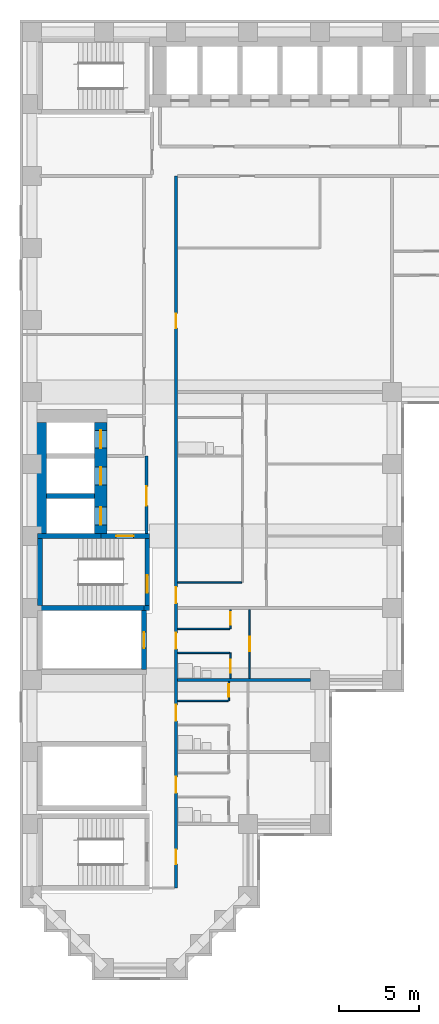
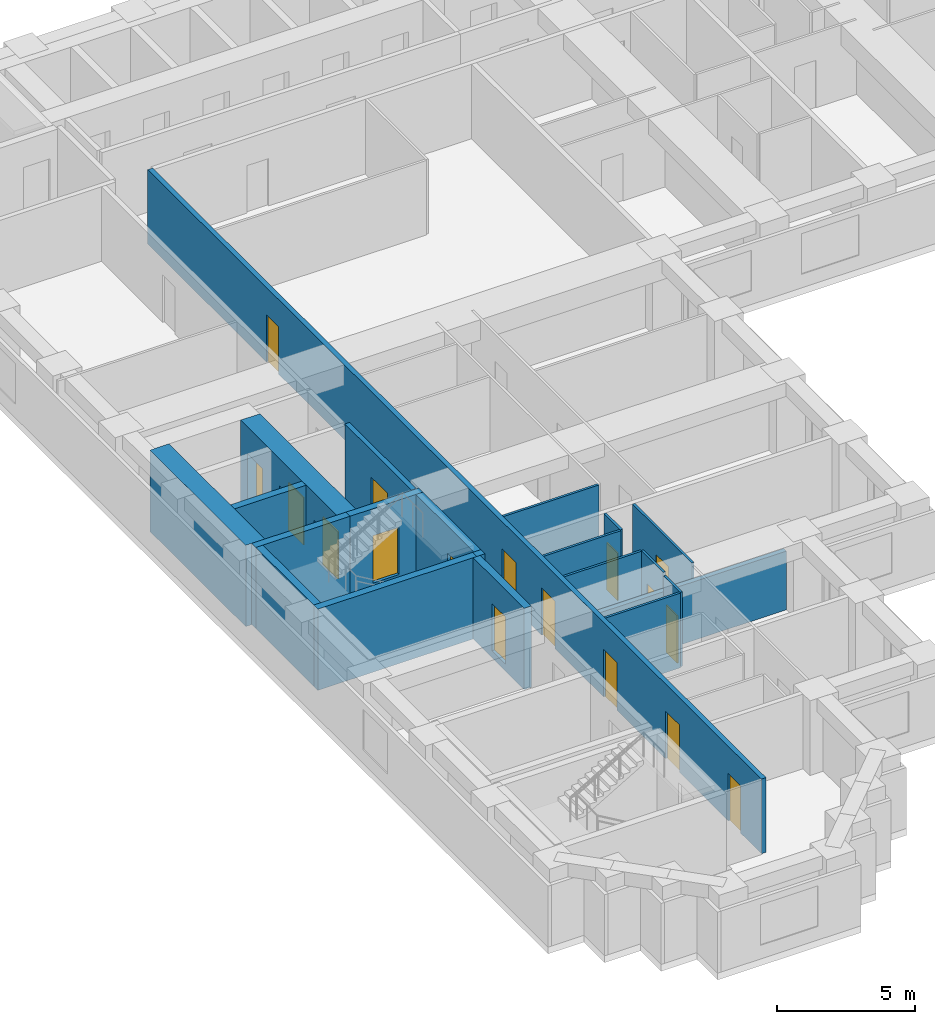
# One storey, part 3 of 11: 21 walls, 17 doors, 17 openings.
"""IFC4 building model written with IfcOpenShell, lengths in metres."""

import ifcopenshell
import ifcopenshell.guid

model = None  # the IFC model being written
_history = None  # IfcOwnerHistory: only IFC2X3 demands one
_inside = {}  # id of a spatial element -> (the spatial element, [elements in it])
_under = {}  # id of a project, library or spatial element -> (it, [spatial elements below it])
_declared = {}  # id of a project -> (the project, [libraries it declares])
_typed = {}  # id of a type object -> (the type object, [elements of that type])
_made_of = {}  # id of a material, layer set ... -> (it, [elements and type objects made of it])


def new_model(schema):
    """Start an empty IFC model of exactly this schema.

    Asked for "IFC4X3", IfcOpenShell would pick the latest addendum, in which some entities
    have other attributes; the version numbers below select the first issue.
    IFC2X3 requires an IfcOwnerHistory on every rooted entity: one is made here for all.
    """
    global model, _history
    if schema == "IFC4X3":
        model = ifcopenshell.file(schema_version=(4, 3, 0, 0))
    else:
        model = ifcopenshell.file(schema=schema)
    _inside.clear()
    _under.clear()
    _declared.clear()
    _typed.clear()
    _made_of.clear()
    _history = None
    if model.schema == "IFC2X3":
        org = make("IfcOrganization", Name="unknown")
        user = make(
            "IfcPersonAndOrganization",
            ThePerson=make("IfcPerson", FamilyName="unknown"),
            TheOrganization=org,
        )
        app = make(
            "IfcApplication",
            ApplicationDeveloper=org,
            Version="unknown",
            ApplicationFullName="unknown",
            ApplicationIdentifier="unknown",
        )
        _history = make(
            "IfcOwnerHistory",
            OwningUser=user,
            OwningApplication=app,
            ChangeAction="ADDED",
            CreationDate=0,
        )
    return model


def make(cls, **values):
    """One entity of the class cls with the attributes given. An attribute that is None is left unset."""
    return model.create_entity(
        cls, **{name: value for name, value in values.items() if value is not None}
    )


def rooted(cls, **values):
    """An entity with a GlobalId (a new one), such as an element, a storey or a relation."""
    return make(cls, GlobalId=ifcopenshell.guid.new(), OwnerHistory=_history, **values)


def si_unit(unit_type, name, prefix=None):
    """IfcSIUnit, for example si_unit("LENGTHUNIT", "METRE", prefix="MILLI")."""
    return make("IfcSIUnit", UnitType=unit_type, Prefix=prefix, Name=name)


def assignment(units):
    """IfcUnitAssignment: the units of a project."""
    return None if units is None else make("IfcUnitAssignment", Units=units)


def point(xyz):
    """IfcCartesianPoint."""
    return None if xyz is None else make("IfcCartesianPoint", Coordinates=xyz)


def direction(xyz):
    """IfcDirection."""
    return None if xyz is None else make("IfcDirection", DirectionRatios=xyz)


def frame(location, z_axis=None, x_axis=None):
    """IfcAxis2Placement3D, a coordinate frame: its origin and axes. An axis left out is left unset."""
    return make(
        "IfcAxis2Placement3D",
        Location=point(location),
        Axis=direction(z_axis),
        RefDirection=direction(x_axis),
    )


def frame_2d(location, x_axis=None):
    """IfcAxis2Placement2D, a coordinate frame in the plane: its origin and x axis."""
    return make(
        "IfcAxis2Placement2D", Location=point(location), RefDirection=direction(x_axis)
    )


def origin():
    """The frame at (0, 0, 0) with its axes left unset."""
    return frame((0.0, 0.0, 0.0))


def place(relative_to, where):
    """IfcLocalPlacement: puts the frame where relative to a parent placement (None: the world)."""
    return make(
        "IfcLocalPlacement", PlacementRelTo=relative_to, RelativePlacement=where
    )


def context(
    kind, dimensions, precision=None, world=None, true_north=None, identifier=None
):
    """IfcGeometricRepresentationContext, for example the 3D "Model" context."""
    return make(
        "IfcGeometricRepresentationContext",
        ContextIdentifier=identifier,
        ContextType=kind,
        CoordinateSpaceDimension=dimensions,
        Precision=precision,
        WorldCoordinateSystem=world,
        TrueNorth=true_north,
    )


def subcontext(parent, identifier, kind, view, scale=None):
    """IfcGeometricRepresentationSubContext, for example "Body" below "Model"."""
    return make(
        "IfcGeometricRepresentationSubContext",
        ContextIdentifier=identifier,
        ContextType=kind,
        ParentContext=parent,
        TargetScale=scale,
        TargetView=view,
    )


def project(units=None, contexts=None):
    """IfcProject with its units and contexts."""
    return rooted(
        "IfcProject",
        Name="project",
        RepresentationContexts=contexts,
        UnitsInContext=assignment(units),
    )


def spatial(cls, under=None, at=None, **own):
    """A site, building, storey or space (cls), placed at a placement, below another one or the project."""
    s = rooted(cls, ObjectPlacement=at, **own)
    if under is not None:
        _under.setdefault(under.id(), (under, []))[1].append(s)
    return s


def profile(cls, at=None, kind="AREA", **sizes):
    """A parametric profile (cls). Its sizes go by their IFC names, for example OverallWidth=200.0."""
    return make(cls, ProfileType=kind, Position=at, **sizes)


def rectangle(**sizes):
    """IfcRectangleProfileDef."""
    return profile("IfcRectangleProfileDef", **sizes)


def extrude(swept, where, along, depth):
    """IfcExtrudedAreaSolid: the profile swept, set in the frame where, extruded along a direction by depth."""
    return make(
        "IfcExtrudedAreaSolid",
        SweptArea=swept,
        Position=where,
        ExtrudedDirection=direction(along),
        Depth=depth,
    )


def shape(context_of_items, identifier, shape_type, items):
    """IfcShapeRepresentation: the items that make up one representation, for example the "Body"."""
    return make(
        "IfcShapeRepresentation",
        ContextOfItems=context_of_items,
        RepresentationIdentifier=identifier,
        RepresentationType=shape_type,
        Items=items,
    )


def material(Name=None, Category=None):
    """IfcMaterial."""
    return make("IfcMaterial", Name=Name, Category=Category)


def layer(
    of_material, thickness, ventilated=None, Name=None, Category=None, Priority=None
):
    """IfcMaterialLayer: one layer of a wall or slab, of a material (None: an air gap)."""
    return make(
        "IfcMaterialLayer",
        Material=of_material,
        LayerThickness=thickness,
        IsVentilated=ventilated,
        Name=Name,
        Category=Category,
        Priority=Priority,
    )


def layer_set(layers, Name=None):
    """IfcMaterialLayerSet."""
    return make("IfcMaterialLayerSet", MaterialLayers=layers, LayerSetName=Name)


def made_of(thing, what):
    """Note that an element or type object is made of a material, layer set ...; save() writes the relation."""
    if what is not None:
        _made_of.setdefault(what.id(), (what, []))[1].append(thing)
    return thing


def type_object(cls, material=None, **own):
    """A type object (cls), such as IfcWallType, which elements share."""
    return made_of(rooted(cls, **own), material)


def element(
    cls,
    number,
    at=None,
    inside=None,
    cuts=None,
    type_object=None,
    material=None,
    context=None,
    identifier="Body",
    shape_type=None,
    held_by="IfcProductDefinitionShape",
    body=None,
    shapes=None,
    **own,
):
    """One element of the class cls, such as IfcWall. Its Tag is "e" and its number.

    at: its placement. inside: the storey or other place that contains it. cuts: it is an
    opening in that element (IfcRelVoidsElement). A single representation is given by context,
    identifier, shape_type and body (its items); several are given by shapes. held_by: the class
    of the entity that holds the representations. save() writes the other relations.
    """
    e = rooted(cls, Tag="e%d" % number, ObjectPlacement=at, **own)
    if body is not None:
        shapes = [shape(context, identifier, shape_type, body)]
    if shapes is not None:
        e.Representation = make(held_by, Representations=shapes)
    if inside is not None:
        _inside.setdefault(inside.id(), (inside, []))[1].append(e)
    if cuts is not None:
        rooted(
            "IfcRelVoidsElement", RelatingBuildingElement=cuts, RelatedOpeningElement=e
        )
    if type_object is not None:
        _typed.setdefault(type_object.id(), (type_object, []))[1].append(e)
    return made_of(e, material)


def fill(opening, filler):
    """IfcRelFillsElement: the door or window that sits in an opening."""
    return rooted(
        "IfcRelFillsElement",
        RelatingOpeningElement=opening,
        RelatedBuildingElement=filler,
    )


def aggregate(whole, parts):
    """IfcRelAggregates: a whole, such as a stair, and the parts it consists of."""
    return rooted("IfcRelAggregates", RelatingObject=whole, RelatedObjects=parts)


def save(model, path):
    """Write the relations noted so far, then the file.

    IfcRelAggregates (storeys below a building ...), IfcRelContainedInSpatialStructure (elements
    in a storey), IfcRelDefinesByType, IfcRelAssociatesMaterial and IfcRelDeclares: one each for
    every whole, place, type object, material and project.
    """
    for whole, parts in _under.values():
        aggregate(whole, parts)
    for where, things in _inside.values():
        rooted(
            "IfcRelContainedInSpatialStructure",
            RelatedElements=things,
            RelatingStructure=where,
        )
    for kind, things in _typed.values():
        rooted("IfcRelDefinesByType", RelatedObjects=things, RelatingType=kind)
    for what, things in _made_of.values():
        rooted("IfcRelAssociatesMaterial", RelatedObjects=things, RelatingMaterial=what)
    for by, libraries in _declared.values():
        rooted("IfcRelDeclares", RelatingContext=by, RelatedDefinitions=libraries)
    model.write(path)


model = new_model("IFC4")

# Units and contexts
model_context = context("Model", 3, precision=1e-05, world=origin(), true_north=direction((0.0, 1.0)))
body_context = subcontext(model_context, "Body", "Model", "MODEL_VIEW")
ifc_project = project(units=[si_unit("LENGTHUNIT", "METRE"), si_unit("AREAUNIT", "SQUARE_METRE"), si_unit("VOLUMEUNIT", "CUBIC_METRE"), si_unit("PLANEANGLEUNIT", "RADIAN"), si_unit("MASSUNIT", "GRAM", prefix="KILO")], contexts=[model_context])

# Site, building, storey
site_placement = place(None, origin())
site = spatial("IfcSite", under=ifc_project, at=site_placement, CompositionType="ELEMENT")
building_placement = place(site_placement, origin())
building = spatial("IfcBuilding", under=site, at=building_placement, Name="Firuza Court", CompositionType="ELEMENT")
storey_placement = place(building_placement, frame((0.0, 0.0, 75.800048828125)))
storey = spatial("IfcBuildingStorey", under=building, at=storey_placement, Name="L18", CompositionType="ELEMENT", Elevation=75.800048828125)

# Walls
ifc_material_1 = material(Name="Moisture-resistant gypsum board partition")
ifc_layer_1 = layer(ifc_material_1, 0.10009765625)
ifc_layer_set_1 = layer_set([ifc_layer_1], Name="Moisture-resistant gypsum board partition")
wall_type_1 = type_object("IfcWallType", Name="Bathroom partition 100", PredefinedType="PLUMBINGWALL", material=ifc_layer_set_1)
wall_1_placement = place(storey_placement, frame((9.10009765625, 19.699951171875, 0.0), z_axis=(0.0, 0.0, 1.0), x_axis=(1.0, 0.0, 0.0)))
element("IfcWall", 1, at=wall_1_placement, inside=storey, type_object=wall_type_1, Name="Bathroom partition 100 L18", PredefinedType="PLUMBINGWALL", context=body_context, shape_type="SweptSolid", body=[
    extrude(rectangle(XDim=3.25, YDim=0.10009765625, at=frame_2d((1.625, 0.0))), origin(), (0.0, 0.0, 1.0), 3.300048828125),
])
ifc_material_2 = material(Name="Concrete C60/75", Category="concrete")
ifc_layer_2 = layer(ifc_material_2, 0.300048828125)
ifc_layer_set_2 = layer_set([ifc_layer_2], Name="Concrete C60/75")
wall_type_2 = type_object("IfcWallType", Name="Core wall 300 C60/75", PredefinedType="SHEAR", material=ifc_layer_set_2)
wall_2_placement = place(storey_placement, frame((0.35009765625, 22.5, -0.300048828125), z_axis=(0.0, 0.0, 1.0), x_axis=(1.0, 0.0, 0.0)))
element("IfcWall", 2, at=wall_2_placement, inside=storey, type_object=wall_type_2, Name="Core wall riser L18", PredefinedType="SHEAR", context=body_context, shape_type="SweptSolid", body=[
    extrude(rectangle(XDim=6.64990234375, YDim=0.300048828125, at=frame_2d((3.324951171875, 0.0))), origin(), (0.0, 0.0, 1.0), 3.60009765625),
])
wall_3_placement = place(storey_placement, frame((0.35009765625, 27.0, -0.300048828125), z_axis=(0.0, 0.0, 1.0), x_axis=(1.0, 0.0, 0.0)))
element("IfcWall", 3, at=wall_3_placement, inside=storey, type_object=wall_type_2, Name="Core wall lift shaft L18", PredefinedType="SHEAR", context=body_context, shape_type="SweptSolid", body=[
    extrude(rectangle(XDim=3.949951171875, YDim=0.300048828125, at=frame_2d((1.97509765625, 0.0))), origin(), (0.0, 0.0, 1.0), 3.60009765625),
])
wall_4_placement = place(storey_placement, frame((0.5, 22.64990234375, -0.300048828125), z_axis=(0.0, 0.0, 1.0), x_axis=(0.0, 1.0, 0.0)))
element("IfcWall", 4, at=wall_4_placement, inside=storey, type_object=wall_type_2, Name="Core wall stair L18", PredefinedType="SHEAR", context=body_context, shape_type="SweptSolid", body=[
    extrude(rectangle(XDim=4.2001953125, YDim=0.300048828125, at=frame_2d((2.10009765625, 0.0))), origin(), (0.0, 0.0, 1.0), 3.60009765625),
])
wall_5_placement = place(storey_placement, frame((0.89990234375, 29.5, -0.300048828125), z_axis=(0.0, 0.0, 1.0), x_axis=(1.0, 0.0, 0.0)))
element("IfcWall", 5, at=wall_5_placement, inside=storey, type_object=wall_type_2, Name="Core wall lift shaft L18", PredefinedType="SHEAR", context=body_context, shape_type="SweptSolid", body=[
    extrude(rectangle(XDim=3.0, YDim=0.300048828125, at=frame_2d((1.5, 0.0))), origin(), (0.0, 0.0, 1.0), 3.60009765625),
])

# Wall, opening, door
wall_6_placement = place(storey_placement, frame((4.300048828125, 27.0, -0.300048828125), z_axis=(0.0, 0.0, 1.0), x_axis=(1.0, 0.0, 0.0)))
wall_6 = element("IfcWall", 6, at=wall_6_placement, inside=storey, type_object=wall_type_2, Name="Core wall stair L18", PredefinedType="SHEAR", context=body_context, shape_type="SweptSolid", body=[
    extrude(rectangle(XDim=3.050048828125, YDim=0.300048828125, at=frame_2d((1.52490234375, 0.0))), origin(), (0.0, 0.0, 1.0), 3.60009765625),
])
opening_1_placement = place(wall_6_placement, frame((0.949951171875, 0.0, 0.300048828125)))
opening_1 = element("IfcOpeningElement", 7, at=opening_1_placement, cuts=wall_6, Name="Opening D18014", PredefinedType="OPENING", context=body_context, shape_type="SweptSolid", body=[
    extrude(rectangle(XDim=1.10009765625, YDim=2.10009765625, at=frame_2d((0.550048828125, 1.050048828125))), frame((0.0, 0.162109375, 0.0), z_axis=(0.0, -1.0, 0.0), x_axis=(1.0, 0.0, 0.0)), (0.0, 0.0, 1.0), 0.323974609375),
])
ifc_material_3 = material(Name="Timber door leaf in hardwood frame", Category="wood")
door_type_1 = type_object("IfcDoorType", Name="Stair door 1100", OperationType="SINGLE_SWING_LEFT", PredefinedType="DOOR", material=ifc_material_3)
door_1_placement = place(opening_1_placement, frame((1.10009765625, 0.0, 0.0), z_axis=(0.0, 0.0, 1.0), x_axis=(-1.0, 0.0, 0.0)))
door_1 = element("IfcDoor", 8, at=door_1_placement, inside=storey, type_object=door_type_1, Name="Fire-fighting lobby door", OperationType="SINGLE_SWING_LEFT", OverallHeight=2.10009765625, OverallWidth=1.10009765625, PredefinedType="DOOR", context=body_context, shape_type="SweptSolid", body=[
    extrude(rectangle(XDim=1.10009765625, YDim=2.10009765625, at=frame_2d((0.550048828125, 1.050048828125))), frame((0.0, 0.02490234375, 0.0), z_axis=(0.0, -1.0, 0.0), x_axis=(1.0, 0.0, 0.0)), (0.0, 0.0, 1.0), 0.050048828125),
])
fill(opening_1, door_1)

wall_7_placement = place(storey_placement, frame((7.0, 18.64990234375, -0.300048828125), z_axis=(0.0, 0.0, 1.0), x_axis=(0.0, 1.0, 0.0)))
wall_7 = element("IfcWall", 9, at=wall_7_placement, inside=storey, type_object=wall_type_2, Name="Core wall riser L18", PredefinedType="SHEAR", context=body_context, shape_type="SweptSolid", body=[
    extrude(rectangle(XDim=3.7001953125, YDim=0.300048828125, at=frame_2d((1.85009765625, 0.0))), origin(), (0.0, 0.0, 1.0), 3.60009765625),
])
opening_2_placement = place(wall_7_placement, frame((1.35009765625, 0.0, 0.300048828125)))
opening_2 = element("IfcOpeningElement", 10, at=opening_2_placement, cuts=wall_7, Name="Opening D18010", PredefinedType="OPENING", context=body_context, shape_type="SweptSolid", body=[
    extrude(rectangle(XDim=1.0, YDim=2.10009765625, at=frame_2d((0.5, 1.050048828125))), frame((0.0, 0.162109375, 0.0), z_axis=(0.0, -1.0, 0.0), x_axis=(1.0, 0.0, 0.0)), (0.0, 0.0, 1.0), 0.323974609375),
])
ifc_material_4 = material(Name="Timber door leaf in hardwood frame", Category="wood")
door_type_2 = type_object("IfcDoorType", Name="Riser door 1000", OperationType="SINGLE_SWING_LEFT", PredefinedType="DOOR", material=ifc_material_4)
door_2_placement = place(opening_2_placement, origin())
door_2 = element("IfcDoor", 11, at=door_2_placement, inside=storey, type_object=door_type_2, Name="Riser door R1", OperationType="SINGLE_SWING_LEFT", OverallHeight=2.10009765625, OverallWidth=1.0, PredefinedType="DOOR", context=body_context, shape_type="SweptSolid", body=[
    extrude(rectangle(XDim=1.0, YDim=2.10009765625, at=frame_2d((0.5, 1.050048828125))), frame((0.0, 0.02490234375, 0.0), z_axis=(0.0, -1.0, 0.0), x_axis=(1.0, 0.0, 0.0)), (0.0, 0.0, 1.0), 0.050048828125),
])
fill(opening_2, door_2)

# Wall
wall_8_placement = place(storey_placement, frame((7.0, 22.5, -0.300048828125), z_axis=(0.0, 0.0, 1.0), x_axis=(1.0, 0.0, 0.0)))
element("IfcWall", 12, at=wall_8_placement, inside=storey, type_object=wall_type_2, Name="Core wall stair L18", PredefinedType="SHEAR", context=body_context, shape_type="SweptSolid", body=[
    extrude(rectangle(XDim=0.35009765625, YDim=0.300048828125, at=frame_2d((0.175048828125, 0.0))), origin(), (0.0, 0.0, 1.0), 3.60009765625),
])

# Wall, opening, door
wall_9_placement = place(storey_placement, frame((7.199951171875, 22.64990234375, -0.300048828125), z_axis=(0.0, 0.0, 1.0), x_axis=(0.0, 1.0, 0.0)))
wall_9 = element("IfcWall", 13, at=wall_9_placement, inside=storey, type_object=wall_type_2, Name="Core wall stair L18", PredefinedType="SHEAR", context=body_context, shape_type="SweptSolid", body=[
    extrude(rectangle(XDim=4.2001953125, YDim=0.300048828125, at=frame_2d((2.10009765625, 0.0))), origin(), (0.0, 0.0, 1.0), 3.60009765625),
])
opening_3_placement = place(wall_9_placement, frame((0.800048828125, 0.0, 0.300048828125)))
opening_3 = element("IfcOpeningElement", 14, at=opening_3_placement, cuts=wall_9, Name="Opening D18015", PredefinedType="OPENING", context=body_context, shape_type="SweptSolid", body=[
    extrude(rectangle(XDim=1.10009765625, YDim=2.10009765625, at=frame_2d((0.550048828125, 1.050048828125))), frame((0.0, 0.162109375, 0.0), z_axis=(0.0, -1.0, 0.0), x_axis=(1.0, 0.0, 0.0)), (0.0, 0.0, 1.0), 0.323974609375),
])
door_3_placement = place(opening_3_placement, origin())
door_3 = element("IfcDoor", 15, at=door_3_placement, inside=storey, type_object=door_type_1, Name="Stair door S2", OperationType="SINGLE_SWING_LEFT", OverallHeight=2.10009765625, OverallWidth=1.10009765625, PredefinedType="DOOR", context=body_context, shape_type="SweptSolid", body=[
    extrude(rectangle(XDim=1.10009765625, YDim=2.10009765625, at=frame_2d((0.550048828125, 1.050048828125))), frame((0.0, 0.02490234375, 0.0), z_axis=(0.0, -1.0, 0.0), x_axis=(1.0, 0.0, 0.0)), (0.0, 0.0, 1.0), 0.050048828125),
])
fill(opening_3, door_3)

# Wall
ifc_layer_3 = layer(ifc_material_2, 0.800048828125)
ifc_layer_set_3 = layer_set([ifc_layer_3], Name="Concrete C60/75")
wall_type_3 = type_object("IfcWallType", Name="Core wall 800 C60/75", PredefinedType="SHEAR", material=ifc_layer_set_3)
wall_10_placement = place(storey_placement, frame((0.5, 27.14990234375, -0.300048828125), z_axis=(0.0, 0.0, 1.0), x_axis=(0.0, 1.0, 0.0)))
element("IfcWall", 16, at=wall_10_placement, inside=storey, type_object=wall_type_3, Name="Core wall lift shaft L18", PredefinedType="SHEAR", context=body_context, shape_type="SweptSolid", body=[
    extrude(rectangle(XDim=6.9501953125, YDim=0.800048828125, at=frame_2d((3.47509765625, 0.0))), origin(), (0.0, 0.0, 1.0), 3.60009765625),
])

# Wall, openings, doors
wall_11_placement = place(storey_placement, frame((4.300048828125, 27.14990234375, -0.300048828125), z_axis=(0.0, 0.0, 1.0), x_axis=(0.0, 1.0, 0.0)))
wall_11 = element("IfcWall", 17, at=wall_11_placement, inside=storey, type_object=wall_type_3, Name="Core wall lift shaft L18", PredefinedType="SHEAR", context=body_context, shape_type="SweptSolid", body=[
    extrude(rectangle(XDim=6.9501953125, YDim=0.800048828125, at=frame_2d((3.47509765625, 0.0))), origin(), (0.0, 0.0, 1.0), 3.60009765625),
])
opening_4_placement = place(wall_11_placement, frame((3.050048828125, 0.0, 0.300048828125)))
opening_4 = element("IfcOpeningElement", 18, at=opening_4_placement, cuts=wall_11, Name="Opening LD-FL1-18", PredefinedType="OPENING", context=body_context, shape_type="SweptSolid", body=[
    extrude(rectangle(XDim=1.10009765625, YDim=2.10009765625, at=frame_2d((0.550048828125, 1.050048828125))), frame((0.0, 0.412109375, 0.0), z_axis=(0.0, -1.0, 0.0), x_axis=(1.0, 0.0, 0.0)), (0.0, 0.0, 1.0), 0.823974609375),
])
opening_5_placement = place(wall_11_placement, frame((0.550048828125, 0.0, 0.300048828125)))
opening_5 = element("IfcOpeningElement", 19, at=opening_5_placement, cuts=wall_11, Name="Opening LD-FL2-18", PredefinedType="OPENING", context=body_context, shape_type="SweptSolid", body=[
    extrude(rectangle(XDim=1.10009765625, YDim=2.10009765625, at=frame_2d((0.550048828125, 1.050048828125))), frame((0.0, 0.412109375, 0.0), z_axis=(0.0, -1.0, 0.0), x_axis=(1.0, 0.0, 0.0)), (0.0, 0.0, 1.0), 0.823974609375),
])
opening_6_placement = place(wall_11_placement, frame((5.35009765625, 0.0, 0.300048828125)))
opening_6 = element("IfcOpeningElement", 20, at=opening_6_placement, cuts=wall_11, Name="Opening LD-SL1-18", PredefinedType="OPENING", context=body_context, shape_type="SweptSolid", body=[
    extrude(rectangle(XDim=1.10009765625, YDim=2.10009765625, at=frame_2d((0.550048828125, 1.050048828125))), frame((0.0, 0.412109375, 0.0), z_axis=(0.0, -1.0, 0.0), x_axis=(1.0, 0.0, 0.0)), (0.0, 0.0, 1.0), 0.823974609375),
])
ifc_material_5 = material(Name="Stainless steel 1.4301 door leaf", Category="steel")
door_type_3 = type_object("IfcDoorType", Name="Lift landing door 1100", OperationType="SLIDING_TO_LEFT", PredefinedType="DOOR", material=ifc_material_5)
door_4_placement = place(opening_4_placement, origin())
door_4 = element("IfcDoor", 21, at=door_4_placement, inside=storey, type_object=door_type_3, Name="Landing door FL1", OperationType="SLIDING_TO_LEFT", OverallHeight=2.10009765625, OverallWidth=1.10009765625, PredefinedType="DOOR", context=body_context, shape_type="SweptSolid", body=[
    extrude(rectangle(XDim=1.10009765625, YDim=2.10009765625, at=frame_2d((0.550048828125, 1.050048828125))), frame((0.0, 0.02490234375, 0.0), z_axis=(0.0, -1.0, 0.0), x_axis=(1.0, 0.0, 0.0)), (0.0, 0.0, 1.0), 0.050048828125),
])
fill(opening_4, door_4)
door_5_placement = place(opening_5_placement, origin())
door_5 = element("IfcDoor", 22, at=door_5_placement, inside=storey, type_object=door_type_3, Name="Landing door FL2", OperationType="SLIDING_TO_LEFT", OverallHeight=2.10009765625, OverallWidth=1.10009765625, PredefinedType="DOOR", context=body_context, shape_type="SweptSolid", body=[
    extrude(rectangle(XDim=1.10009765625, YDim=2.10009765625, at=frame_2d((0.550048828125, 1.050048828125))), frame((0.0, 0.02490234375, 0.0), z_axis=(0.0, -1.0, 0.0), x_axis=(1.0, 0.0, 0.0)), (0.0, 0.0, 1.0), 0.050048828125),
])
fill(opening_5, door_5)
door_6_placement = place(opening_6_placement, origin())
door_6 = element("IfcDoor", 23, at=door_6_placement, inside=storey, type_object=door_type_3, Name="Landing door SL1", OperationType="SLIDING_TO_LEFT", OverallHeight=2.10009765625, OverallWidth=1.10009765625, PredefinedType="DOOR", context=body_context, shape_type="SweptSolid", body=[
    extrude(rectangle(XDim=1.10009765625, YDim=2.10009765625, at=frame_2d((0.550048828125, 1.050048828125))), frame((0.0, 0.02490234375, 0.0), z_axis=(0.0, -1.0, 0.0), x_axis=(1.0, 0.0, 0.0)), (0.0, 0.0, 1.0), 0.050048828125),
])
fill(opening_6, door_6)

ifc_material_6 = material(Name="Blockwork, plastered both sides", Category="masonry")
ifc_layer_4 = layer(ifc_material_6, 0.199951171875)
ifc_layer_set_4 = layer_set([ifc_layer_4], Name="Blockwork, plastered both sides")
wall_type_4 = type_object("IfcWallType", Name="Corridor wall 200", PredefinedType="PARTITIONING", material=ifc_layer_set_4)
wall_12_placement = place(storey_placement, frame((9.0, 5.0, 0.0), z_axis=(0.0, 0.0, 1.0), x_axis=(0.0, 1.0, 0.0)))
wall_12 = element("IfcWall", 24, at=wall_12_placement, inside=storey, type_object=wall_type_4, Name="Corridor wall 200 L18", PredefinedType="PARTITIONING", context=body_context, shape_type="SweptSolid", body=[
    extrude(rectangle(XDim=44.5, YDim=0.199951171875, at=frame_2d((22.25, 0.0))), origin(), (0.0, 0.0, 1.0), 3.300048828125),
])
opening_7_placement = place(wall_12_placement, frame((17.800048828125, 0.0, 0.0)))
opening_7 = element("IfcOpeningElement", 25, at=opening_7_placement, cuts=wall_12, Name="Opening D18019", PredefinedType="OPENING", context=body_context, shape_type="SweptSolid", body=[
    extrude(rectangle(XDim=1.0, YDim=2.10009765625, at=frame_2d((0.5, 1.050048828125))), frame((0.0, 0.11181640625, 0.0), z_axis=(0.0, -1.0, 0.0), x_axis=(1.0, 0.0, 0.0)), (0.0, 0.0, 1.0), 0.223876953125),
])
opening_8_placement = place(wall_12_placement, frame((14.949951171875, 0.0, 0.0)))
opening_8 = element("IfcOpeningElement", 26, at=opening_8_placement, cuts=wall_12, Name="Opening D18020", PredefinedType="OPENING", context=body_context, shape_type="SweptSolid", body=[
    extrude(rectangle(XDim=1.0, YDim=2.10009765625, at=frame_2d((0.5, 1.050048828125))), frame((0.0, 0.11181640625, 0.0), z_axis=(0.0, -1.0, 0.0), x_axis=(1.0, 0.0, 0.0)), (0.0, 0.0, 1.0), 0.223876953125),
])
opening_9_placement = place(wall_12_placement, frame((10.449951171875, 0.0, 0.0)))
opening_9 = element("IfcOpeningElement", 27, at=opening_9_placement, cuts=wall_12, Name="Opening D18021", PredefinedType="OPENING", context=body_context, shape_type="SweptSolid", body=[
    extrude(rectangle(XDim=1.0, YDim=2.10009765625, at=frame_2d((0.5, 1.050048828125))), frame((0.0, 0.11181640625, 0.0), z_axis=(0.0, -1.0, 0.0), x_axis=(1.0, 0.0, 0.0)), (0.0, 0.0, 1.0), 0.223876953125),
])
opening_10_placement = place(wall_12_placement, frame((5.949951171875, 0.0, 0.0)))
opening_10 = element("IfcOpeningElement", 28, at=opening_10_placement, cuts=wall_12, Name="Opening D18022", PredefinedType="OPENING", context=body_context, shape_type="SweptSolid", body=[
    extrude(rectangle(XDim=1.0, YDim=2.10009765625, at=frame_2d((0.5, 1.050048828125))), frame((0.0, 0.11181640625, 0.0), z_axis=(0.0, -1.0, 0.0), x_axis=(1.0, 0.0, 0.0)), (0.0, 0.0, 1.0), 0.223876953125),
])
opening_11_placement = place(wall_12_placement, frame((35.0, 0.0, 0.0)))
opening_11 = element("IfcOpeningElement", 29, at=opening_11_placement, cuts=wall_12, Name="Opening D18023", PredefinedType="OPENING", context=body_context, shape_type="SweptSolid", body=[
    extrude(rectangle(XDim=0.89990234375, YDim=2.10009765625, at=frame_2d((0.449951171875, 1.050048828125))), frame((0.0, 0.11181640625, 0.0), z_axis=(0.0, -1.0, 0.0), x_axis=(1.0, 0.0, 0.0)), (0.0, 0.0, 1.0), 0.223876953125),
])
opening_12_placement = place(wall_12_placement, frame((1.5, 0.0, 0.0)))
opening_12 = element("IfcOpeningElement", 30, at=opening_12_placement, cuts=wall_12, Name="Opening D18024", PredefinedType="OPENING", context=body_context, shape_type="SweptSolid", body=[
    extrude(rectangle(XDim=0.89990234375, YDim=2.10009765625, at=frame_2d((0.449951171875, 1.050048828125))), frame((0.0, 0.11181640625, 0.0), z_axis=(0.0, -1.0, 0.0), x_axis=(1.0, 0.0, 0.0)), (0.0, 0.0, 1.0), 0.223876953125),
])
ifc_material_7 = material(Name="Timber door leaf in hardwood frame", Category="wood")
door_type_4 = type_object("IfcDoorType", Name="Flat entrance door 1000", OperationType="SINGLE_SWING_LEFT", PredefinedType="DOOR", material=ifc_material_7)
door_7_placement = place(opening_7_placement, origin())
door_7 = element("IfcDoor", 31, at=door_7_placement, inside=storey, type_object=door_type_4, Name="Flat entrance door", OperationType="SINGLE_SWING_LEFT", OverallHeight=2.10009765625, OverallWidth=1.0, PredefinedType="DOOR", context=body_context, shape_type="SweptSolid", body=[
    extrude(rectangle(XDim=1.0, YDim=2.10009765625, at=frame_2d((0.5, 1.050048828125))), frame((0.0, 0.02490234375, 0.0), z_axis=(0.0, -1.0, 0.0), x_axis=(1.0, 0.0, 0.0)), (0.0, 0.0, 1.0), 0.050048828125),
])
fill(opening_7, door_7)
door_8_placement = place(opening_8_placement, origin())
door_8 = element("IfcDoor", 32, at=door_8_placement, inside=storey, type_object=door_type_4, Name="Flat entrance door", OperationType="SINGLE_SWING_LEFT", OverallHeight=2.10009765625, OverallWidth=1.0, PredefinedType="DOOR", context=body_context, shape_type="SweptSolid", body=[
    extrude(rectangle(XDim=1.0, YDim=2.10009765625, at=frame_2d((0.5, 1.050048828125))), frame((0.0, 0.02490234375, 0.0), z_axis=(0.0, -1.0, 0.0), x_axis=(1.0, 0.0, 0.0)), (0.0, 0.0, 1.0), 0.050048828125),
])
fill(opening_8, door_8)
door_9_placement = place(opening_9_placement, origin())
door_9 = element("IfcDoor", 33, at=door_9_placement, inside=storey, type_object=door_type_4, Name="Flat entrance door", OperationType="SINGLE_SWING_LEFT", OverallHeight=2.10009765625, OverallWidth=1.0, PredefinedType="DOOR", context=body_context, shape_type="SweptSolid", body=[
    extrude(rectangle(XDim=1.0, YDim=2.10009765625, at=frame_2d((0.5, 1.050048828125))), frame((0.0, 0.02490234375, 0.0), z_axis=(0.0, -1.0, 0.0), x_axis=(1.0, 0.0, 0.0)), (0.0, 0.0, 1.0), 0.050048828125),
])
fill(opening_9, door_9)
door_10_placement = place(opening_10_placement, origin())
door_10 = element("IfcDoor", 34, at=door_10_placement, inside=storey, type_object=door_type_4, Name="Flat entrance door", OperationType="SINGLE_SWING_LEFT", OverallHeight=2.10009765625, OverallWidth=1.0, PredefinedType="DOOR", context=body_context, shape_type="SweptSolid", body=[
    extrude(rectangle(XDim=1.0, YDim=2.10009765625, at=frame_2d((0.5, 1.050048828125))), frame((0.0, 0.02490234375, 0.0), z_axis=(0.0, -1.0, 0.0), x_axis=(1.0, 0.0, 0.0)), (0.0, 0.0, 1.0), 0.050048828125),
])
fill(opening_10, door_10)
ifc_material_8 = material(Name="Timber door leaf in hardwood frame", Category="wood")
door_type_5 = type_object("IfcDoorType", Name="Room door 900 EI 30", OperationType="SINGLE_SWING_LEFT", PredefinedType="DOOR", material=ifc_material_8)
door_11_placement = place(opening_11_placement, origin())
door_11 = element("IfcDoor", 35, at=door_11_placement, inside=storey, type_object=door_type_5, Name="Residents' lounge door", OperationType="SINGLE_SWING_LEFT", OverallHeight=2.10009765625, OverallWidth=0.89990234375, PredefinedType="DOOR", context=body_context, shape_type="SweptSolid", body=[
    extrude(rectangle(XDim=0.89990234375, YDim=2.10009765625, at=frame_2d((0.449951171875, 1.050048828125))), frame((0.0, 0.02490234375, 0.0), z_axis=(0.0, -1.0, 0.0), x_axis=(1.0, 0.0, 0.0)), (0.0, 0.0, 1.0), 0.050048828125),
])
fill(opening_11, door_11)
door_12_placement = place(opening_12_placement, frame((0.89990234375, 0.0, 0.0), z_axis=(0.0, 0.0, 1.0), x_axis=(-1.0, 0.0, 0.0)))
door_12 = element("IfcDoor", 36, at=door_12_placement, inside=storey, type_object=door_type_5, Name="Meeting room door", OperationType="SINGLE_SWING_LEFT", OverallHeight=2.10009765625, OverallWidth=0.89990234375, PredefinedType="DOOR", context=body_context, shape_type="SweptSolid", body=[
    extrude(rectangle(XDim=0.89990234375, YDim=2.10009765625, at=frame_2d((0.449951171875, 1.050048828125))), frame((0.0, 0.02490234375, 0.0), z_axis=(0.0, -1.0, 0.0), x_axis=(1.0, 0.0, 0.0)), (0.0, 0.0, 1.0), 0.050048828125),
])
fill(opening_12, door_12)

# Wall
ifc_material_9 = material(Name="Timber stud partition, plasterboard both sides", Category="wood")
ifc_layer_5 = layer(ifc_material_9, 0.10009765625)
ifc_layer_set_5 = layer_set([ifc_layer_5], Name="Timber stud partition, plasterboard both sides")
wall_type_5 = type_object("IfcWallType", Name="Partition wall 100", PredefinedType="PARTITIONING", material=ifc_layer_set_5)
wall_13_placement = place(storey_placement, frame((9.10009765625, 16.699951171875, 0.0), z_axis=(0.0, 0.0, 1.0), x_axis=(1.0, 0.0, 0.0)))
element("IfcWall", 37, at=wall_13_placement, inside=storey, type_object=wall_type_5, Name="Partition wall 100 L18", PredefinedType="PARTITIONING", context=body_context, shape_type="SweptSolid", body=[
    extrude(rectangle(XDim=3.14990234375, YDim=0.10009765625, at=frame_2d((1.574951171875, 0.0))), origin(), (0.0, 0.0, 1.0), 3.300048828125),
])

# Wall, opening, door
wall_14_placement = place(storey_placement, frame((12.300048828125, 16.699951171875, 0.0), z_axis=(0.0, 0.0, 1.0), x_axis=(0.0, 1.0, 0.0)))
wall_14 = element("IfcWall", 38, at=wall_14_placement, inside=storey, type_object=wall_type_5, Name="Partition wall 100 L18", PredefinedType="PARTITIONING", context=body_context, shape_type="SweptSolid", body=[
    extrude(rectangle(XDim=1.199951171875, YDim=0.10009765625, at=frame_2d((0.60009765625, 0.0))), origin(), (0.0, 0.0, 1.0), 3.300048828125),
])
opening_13_placement = place(wall_14_placement, frame((0.25, 0.0, 0.0)))
opening_13 = element("IfcOpeningElement", 39, at=opening_13_placement, cuts=wall_14, Name="Opening D18031", PredefinedType="OPENING", context=body_context, shape_type="SweptSolid", body=[
    extrude(rectangle(XDim=0.800048828125, YDim=2.10009765625, at=frame_2d((0.39990234375, 1.050048828125))), frame((0.0, 0.06201171875, 0.0), z_axis=(0.0, -1.0, 0.0), x_axis=(1.0, 0.0, 0.0)), (0.0, 0.0, 1.0), 0.1240234375),
])
ifc_material_10 = material(Name="Timber door leaf in hardwood frame", Category="wood")
door_type_6 = type_object("IfcDoorType", Name="Room door 800", OperationType="SINGLE_SWING_LEFT", PredefinedType="DOOR", material=ifc_material_10)
door_13_placement = place(opening_13_placement, origin())
door_13 = element("IfcDoor", 40, at=door_13_placement, inside=storey, type_object=door_type_6, Name="Kitchen door", OperationType="SINGLE_SWING_LEFT", OverallHeight=2.10009765625, OverallWidth=0.800048828125, PredefinedType="DOOR", context=body_context, shape_type="SweptSolid", body=[
    extrude(rectangle(XDim=0.800048828125, YDim=2.10009765625, at=frame_2d((0.39990234375, 1.050048828125))), frame((0.0, 0.02490234375, 0.0), z_axis=(0.0, -1.0, 0.0), x_axis=(1.0, 0.0, 0.0)), (0.0, 0.0, 1.0), 0.050048828125),
])
fill(opening_13, door_13)

wall_15_placement = place(storey_placement, frame((12.39990234375, 18.10009765625, 0.0), z_axis=(0.0, 0.0, 1.0), x_axis=(0.0, 1.0, 0.0)))
wall_15 = element("IfcWall", 41, at=wall_15_placement, inside=storey, type_object=wall_type_5, Name="Partition wall 100 L18", PredefinedType="PARTITIONING", context=body_context, shape_type="SweptSolid", body=[
    extrude(rectangle(XDim=1.599853515625, YDim=0.10009765625, at=frame_2d((0.7998046875, 0.0))), origin(), (0.0, 0.0, 1.0), 3.300048828125),
])
opening_14_placement = place(wall_15_placement, frame((0.35009765625, 0.0, 0.0)))
opening_14 = element("IfcOpeningElement", 42, at=opening_14_placement, cuts=wall_15, Name="Opening D18032", PredefinedType="OPENING", context=body_context, shape_type="SweptSolid", body=[
    extrude(rectangle(XDim=0.800048828125, YDim=2.10009765625, at=frame_2d((0.39990234375, 1.050048828125))), frame((0.0, 0.06201171875, 0.0), z_axis=(0.0, -1.0, 0.0), x_axis=(1.0, 0.0, 0.0)), (0.0, 0.0, 1.0), 0.1240234375),
])
ifc_material_11 = material(Name="Timber door leaf in hardwood frame", Category="wood")
door_type_7 = type_object("IfcDoorType", Name="Bathroom door 800", OperationType="SINGLE_SWING_LEFT", PredefinedType="DOOR", material=ifc_material_11)
door_14_placement = place(opening_14_placement, origin())
door_14 = element("IfcDoor", 43, at=door_14_placement, inside=storey, type_object=door_type_7, Name="Bathroom door", OperationType="SINGLE_SWING_LEFT", OverallHeight=2.10009765625, OverallWidth=0.800048828125, PredefinedType="DOOR", context=body_context, shape_type="SweptSolid", body=[
    extrude(rectangle(XDim=0.800048828125, YDim=2.10009765625, at=frame_2d((0.39990234375, 1.050048828125))), frame((0.0, 0.02490234375, 0.0), z_axis=(0.0, -1.0, 0.0), x_axis=(1.0, 0.0, 0.0)), (0.0, 0.0, 1.0), 0.050048828125),
])
fill(opening_14, door_14)

wall_16_placement = place(storey_placement, frame((13.60009765625, 18.10009765625, 0.0), z_axis=(0.0, 0.0, 1.0), x_axis=(0.0, 1.0, 0.0)))
wall_16 = element("IfcWall", 44, at=wall_16_placement, inside=storey, type_object=wall_type_5, Name="Partition wall 100 L18", PredefinedType="PARTITIONING", context=body_context, shape_type="SweptSolid", body=[
    extrude(rectangle(XDim=4.2998046875, YDim=0.10009765625, at=frame_2d((2.14990234375, 0.0))), origin(), (0.0, 0.0, 1.0), 3.300048828125),
])
opening_15_placement = place(wall_16_placement, frame((1.699951171875, 0.0, 0.0)))
opening_15 = element("IfcOpeningElement", 45, at=opening_15_placement, cuts=wall_16, Name="Opening D18033", PredefinedType="OPENING", context=body_context, shape_type="SweptSolid", body=[
    extrude(rectangle(XDim=0.89990234375, YDim=2.10009765625, at=frame_2d((0.449951171875, 1.050048828125))), frame((0.0, 0.06201171875, 0.0), z_axis=(0.0, -1.0, 0.0), x_axis=(1.0, 0.0, 0.0)), (0.0, 0.0, 1.0), 0.1240234375),
])
ifc_material_12 = material(Name="Timber door leaf in hardwood frame", Category="wood")
door_type_8 = type_object("IfcDoorType", Name="Room door 900", OperationType="SINGLE_SWING_LEFT", PredefinedType="DOOR", material=ifc_material_12)
door_15_placement = place(opening_15_placement, frame((0.89990234375, 0.0, 0.0), z_axis=(0.0, 0.0, 1.0), x_axis=(-1.0, 0.0, 0.0)))
door_15 = element("IfcDoor", 46, at=door_15_placement, inside=storey, type_object=door_type_8, Name="Studio room door", OperationType="SINGLE_SWING_RIGHT", OverallHeight=2.10009765625, OverallWidth=0.89990234375, PredefinedType="DOOR", context=body_context, shape_type="SweptSolid", body=[
    extrude(rectangle(XDim=0.89990234375, YDim=2.10009765625, at=frame_2d((0.449951171875, 1.050048828125))), frame((0.0, 0.02490234375, 0.0), z_axis=(0.0, -1.0, 0.0), x_axis=(1.0, 0.0, 0.0)), (0.0, 0.0, 1.0), 0.050048828125),
])
fill(opening_15, door_15)

# Wall
wall_17_placement = place(storey_placement, frame((9.10009765625, 21.199951171875, 0.0), z_axis=(0.0, 0.0, 1.0), x_axis=(1.0, 0.0, 0.0)))
element("IfcWall", 47, at=wall_17_placement, inside=storey, type_object=wall_type_5, Name="Partition wall 100 L18", PredefinedType="PARTITIONING", context=body_context, shape_type="SweptSolid", body=[
    extrude(rectangle(XDim=3.25, YDim=0.10009765625, at=frame_2d((1.625, 0.0))), origin(), (0.0, 0.0, 1.0), 3.300048828125),
])

# Wall, opening, door
wall_18_placement = place(storey_placement, frame((12.39990234375, 21.199951171875, 0.0), z_axis=(0.0, 0.0, 1.0), x_axis=(0.0, 1.0, 0.0)))
wall_18 = element("IfcWall", 48, at=wall_18_placement, inside=storey, type_object=wall_type_5, Name="Partition wall 100 L18", PredefinedType="PARTITIONING", context=body_context, shape_type="SweptSolid", body=[
    extrude(rectangle(XDim=1.199951171875, YDim=0.10009765625, at=frame_2d((0.60009765625, 0.0))), origin(), (0.0, 0.0, 1.0), 3.300048828125),
])
opening_16_placement = place(wall_18_placement, frame((0.25, 0.0, 0.0)))
opening_16 = element("IfcOpeningElement", 49, at=opening_16_placement, cuts=wall_18, Name="Opening D18034", PredefinedType="OPENING", context=body_context, shape_type="SweptSolid", body=[
    extrude(rectangle(XDim=0.800048828125, YDim=2.10009765625, at=frame_2d((0.39990234375, 1.050048828125))), frame((0.0, 0.06201171875, 0.0), z_axis=(0.0, -1.0, 0.0), x_axis=(1.0, 0.0, 0.0)), (0.0, 0.0, 1.0), 0.1240234375),
])
door_16_placement = place(opening_16_placement, origin())
door_16 = element("IfcDoor", 50, at=door_16_placement, inside=storey, type_object=door_type_6, Name="Kitchen door", OperationType="SINGLE_SWING_LEFT", OverallHeight=2.10009765625, OverallWidth=0.800048828125, PredefinedType="DOOR", context=body_context, shape_type="SweptSolid", body=[
    extrude(rectangle(XDim=0.800048828125, YDim=2.10009765625, at=frame_2d((0.39990234375, 1.050048828125))), frame((0.0, 0.02490234375, 0.0), z_axis=(0.0, -1.0, 0.0), x_axis=(1.0, 0.0, 0.0)), (0.0, 0.0, 1.0), 0.050048828125),
])
fill(opening_16, door_16)

# Walls
wall_19_placement = place(storey_placement, frame((9.10009765625, 24.10009765625, 0.0), z_axis=(0.0, 0.0, 1.0), x_axis=(1.0, 0.0, 0.0)))
element("IfcWall", 51, at=wall_19_placement, inside=storey, type_object=wall_type_5, Name="Partition wall 100 L18", PredefinedType="PARTITIONING", context=body_context, shape_type="SweptSolid", body=[
    extrude(rectangle(XDim=4.0, YDim=0.10009765625, at=frame_2d((2.0, 0.0))), origin(), (0.0, 0.0, 1.0), 3.300048828125),
])
ifc_layer_6 = layer(ifc_material_6, 0.199951171875)
ifc_layer_set_6 = layer_set([ifc_layer_6], Name="Blockwork, plastered both sides")
wall_type_6 = type_object("IfcWallType", Name="Party wall 200", PredefinedType="PARTITIONING", material=ifc_layer_set_6)
wall_20_placement = place(storey_placement, frame((9.10009765625, 18.0, 0.0), z_axis=(0.0, 0.0, 1.0), x_axis=(1.0, 0.0, 0.0)))
element("IfcWall", 52, at=wall_20_placement, inside=storey, type_object=wall_type_6, Name="Party wall 200 L18", PredefinedType="PARTITIONING", context=body_context, shape_type="SweptSolid", body=[
    extrude(rectangle(XDim=8.2998046875, YDim=0.199951171875, at=frame_2d((4.14990234375, 0.0))), origin(), (0.0, 0.0, 1.0), 2.599853515625),
])

# Wall, opening, door
ifc_material_13 = material(Name="Blockwork, fire-rated", Category="masonry")
ifc_layer_7 = layer(ifc_material_13, 0.199951171875)
ifc_layer_set_7 = layer_set([ifc_layer_7], Name="Blockwork, fire-rated")
wall_type_7 = type_object("IfcWallType", Name="Shaft wall 200", PredefinedType="PARTITIONING", material=ifc_layer_set_7)
wall_21_placement = place(storey_placement, frame((7.14990234375, 27.169921875, 0.0), z_axis=(0.0, 0.0, 1.0), x_axis=(0.0, 1.0, 0.0)))
wall_21 = element("IfcWall", 53, at=wall_21_placement, inside=storey, type_object=wall_type_7, Name="Shaft wall 200 L18", PredefinedType="PARTITIONING", context=body_context, shape_type="SweptSolid", body=[
    extrude(rectangle(XDim=4.830078125, YDim=0.199951171875, at=frame_2d((2.4150390625, 0.0))), origin(), (0.0, 0.0, 1.0), 3.300048828125),
])
opening_17_placement = place(wall_21_placement, frame((1.72998046875, 0.0, 0.0)))
opening_17 = element("IfcOpeningElement", 54, at=opening_17_placement, cuts=wall_21, Name="Opening D18002", PredefinedType="OPENING", context=body_context, shape_type="SweptSolid", body=[
    extrude(rectangle(XDim=1.199951171875, YDim=2.10009765625, at=frame_2d((0.60009765625, 1.050048828125))), frame((0.0, 0.11181640625, 0.0), z_axis=(0.0, -1.0, 0.0), x_axis=(1.0, 0.0, 0.0)), (0.0, 0.0, 1.0), 0.223876953125),
])
ifc_material_14 = material(Name="Timber door leaf in hardwood frame", Category="wood")
door_type_9 = type_object("IfcDoorType", Name="Lobby door 1200", OperationType="SINGLE_SWING_LEFT", PredefinedType="DOOR", material=ifc_material_14)
door_17_placement = place(opening_17_placement, origin())
door_17 = element("IfcDoor", 55, at=door_17_placement, inside=storey, type_object=door_type_9, Name="Fire-fighting lobby door", OperationType="SINGLE_SWING_LEFT", OverallHeight=2.10009765625, OverallWidth=1.199951171875, PredefinedType="DOOR", context=body_context, shape_type="SweptSolid", body=[
    extrude(rectangle(XDim=1.199951171875, YDim=2.10009765625, at=frame_2d((0.60009765625, 1.050048828125))), frame((0.0, 0.02490234375, 0.0), z_axis=(0.0, -1.0, 0.0), x_axis=(1.0, 0.0, 0.0)), (0.0, 0.0, 1.0), 0.050048828125),
])
fill(opening_17, door_17)

save(model, "model.ifc")
